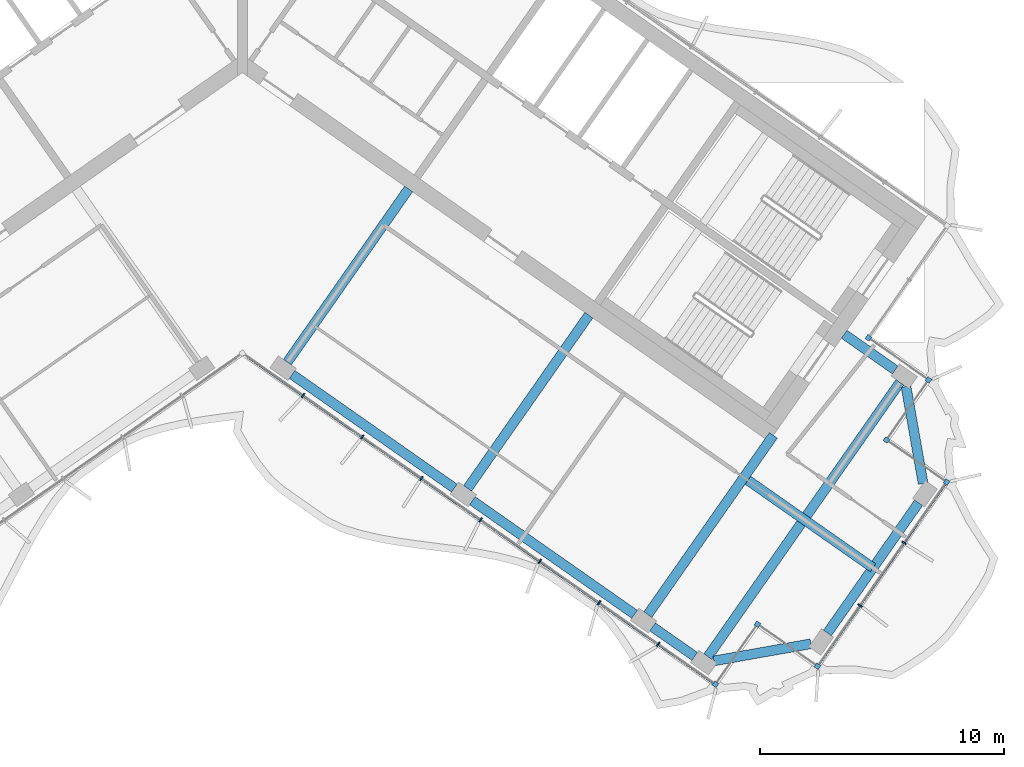
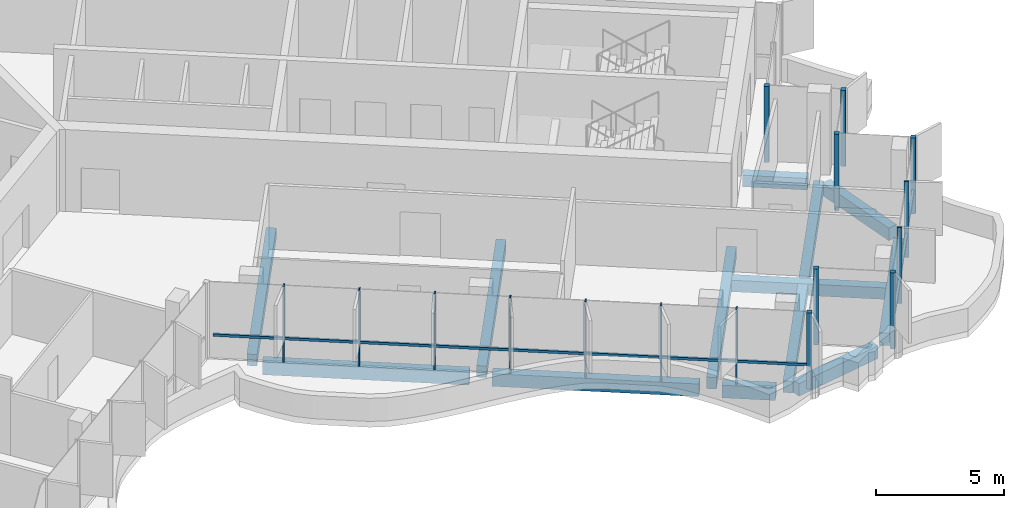
# One storey, part 4 of 18: 18 members, 12 beams, 2 elements without a shape of their own.
"""IFC4 building model written with IfcOpenShell, lengths in metres."""

from ifc_helpers import new_model, si_unit, direction, frame, origin, origin_2d, place, context, subcontext, project, spatial, rectangle, extrude, material, material_profile, profile_set, type_object, element, aggregate, save


model = new_model("IFC4")

# Units and contexts
model_context = context("Model", 3, precision=1e-05, world=origin(), true_north=direction((0.0, 1.0)))
body_context = subcontext(model_context, "Body", "Model", "MODEL_VIEW")
ifc_project = project(units=[si_unit("LENGTHUNIT", "METRE"), si_unit("AREAUNIT", "SQUARE_METRE"), si_unit("VOLUMEUNIT", "CUBIC_METRE"), si_unit("PLANEANGLEUNIT", "RADIAN"), si_unit("MASSUNIT", "GRAM", prefix="KILO")], contexts=[model_context])

# Site, building, storey
site_placement = place(None, origin())
site = spatial("IfcSite", under=ifc_project, at=site_placement, CompositionType="ELEMENT")
building_placement = place(site_placement, origin())
building = spatial("IfcBuilding", under=site, at=building_placement, Name="Tel Ilan Convention Tower", CompositionType="ELEMENT")
storey_placement = place(building_placement, frame((0.0, 0.0, 303.39990234375)))
storey = spatial("IfcBuildingStorey", under=building, at=storey_placement, Name="L72", CompositionType="ELEMENT", Elevation=303.39990234375)

# Beams
ifc_material_1 = material(Name="Concrete C40/50", Category="concrete")
ifc_material_profile_1 = material_profile(ifc_material_1, rectangle(XDim=0.39990234375, YDim=0.550048828125, at=origin_2d()), Name="RC 400x550")
ifc_profile_set_1 = profile_set([ifc_material_profile_1], Name="Concrete C40/50")
beam_type_1 = type_object("IfcBeamType", Name="Beam RC 400x550 Concrete C40/50", PredefinedType="BEAM", material=ifc_profile_set_1)
beam_1_placement = place(storey_placement, frame((26.700927734375, -13.385986328125, -0.554931640625), z_axis=(-0.819119449707, 0.573622983424, 0.0), x_axis=(-0.573622983424, -0.819119449707, 0.0)))
element("IfcBeam", 1, at=beam_1_placement, inside=storey, type_object=beam_type_1, Name="L72 beam E-E-BC-core", PredefinedType="BEAM", context=body_context, shape_type="SweptSolid", body=[
    extrude(rectangle(XDim=0.39990234375, YDim=0.550048828125, at=origin_2d()), origin(), (0.0, 0.0, 1.0), 2.5498046875),
])
for number, where, z_axis, x_axis, name in (
    (2, (1.83740234375, -13.06689453125, -0.554931640625), (0.573574099654, 0.819153680457, 0.0), (-0.819153680457, 0.573574099654, 0.0), "L72 beam E-E-F1-core"),
    (3, (9.209716796875, -18.229248046875, -0.554931640625), (0.573574099654, 0.819153680457, 0.0), (-0.819153680457, 0.573574099654, 0.0), "L72 beam E-E-F2-core"),
):
    element("IfcBeam", number, at=place(storey_placement, frame(where, z_axis=z_axis, x_axis=x_axis)), inside=storey, type_object=beam_type_1, Name=name, PredefinedType="BEAM", context=body_context, shape_type="SweptSolid", body=[
        extrude(rectangle(XDim=0.39990234375, YDim=0.550048828125, at=origin_2d()), origin(), (0.0, 0.0, 1.0), 8.64990234375),
    ])
beam_2_placement = place(storey_placement, frame((16.58203125, -23.391357421875, -0.554931640625), z_axis=(0.573584999642, 0.819146048141, 0.0), x_axis=(-0.819146048141, 0.573584999642, 0.0)))
element("IfcBeam", 4, at=beam_2_placement, inside=storey, type_object=beam_type_1, Name="L72 beam E-E-F3-core", PredefinedType="BEAM", context=body_context, shape_type="SweptSolid", body=[
    extrude(rectangle(XDim=0.39990234375, YDim=0.550048828125, at=origin_2d()), origin(), (0.0, 0.0, 1.0), 8.949951171875),
])
beam_3_placement = place(storey_placement, frame((20.6748046875, -17.89501953125, -0.554931640625), z_axis=(0.819171356584, -0.573548854548, 0.0), x_axis=(0.573548854548, 0.819171356584, 0.0)))
element("IfcBeam", 5, at=beam_3_placement, inside=storey, type_object=beam_type_1, Name="L72 beam E-core-end", PredefinedType="BEAM", context=body_context, shape_type="SweptSolid", body=[
    extrude(rectangle(XDim=0.39990234375, YDim=0.550048828125, at=origin_2d()), origin(), (0.0, 0.0, 1.0), 6.25),
])
beam_4_placement = place(storey_placement, frame((19.03955078125, -25.112060546875, -0.554931640625), z_axis=(0.57357117602, 0.819155727587, 0.0), x_axis=(-0.819155727587, 0.57357117602, 0.0)))
element("IfcBeam", 6, at=beam_4_placement, inside=storey, type_object=beam_type_1, Name="L72 beam E-E-FC-E-BC", PredefinedType="BEAM", context=body_context, shape_type="SweptSolid", body=[
    extrude(rectangle(XDim=0.39990234375, YDim=0.550048828125, at=origin_2d()), origin(), (0.0, 0.0, 1.0), 13.699951171875),
])
ifc_material_2 = material(Name="Concrete C40/50", Category="concrete")
ifc_material_profile_2 = material_profile(ifc_material_2, rectangle(XDim=0.39990234375, YDim=0.60009765625, at=origin_2d()), Name="RC 400x600")
ifc_profile_set_2 = profile_set([ifc_material_profile_2], Name="Concrete C40/50")
beam_type_2 = type_object("IfcBeamType", Name="Beam RC 400x600 Concrete C40/50", PredefinedType="BEAM", material=ifc_profile_set_2)
beam_5_placement = place(storey_placement, frame((2.033935546875, -13.57080078125, -0.579833984375), z_axis=(0.81914553362, -0.573585734437, 0.0), x_axis=(0.573585734437, 0.81914553362, 0.0)))
element("IfcBeam", 7, at=beam_5_placement, inside=storey, type_object=beam_type_2, Name="L72 beam E-E-F1-E-F2", PredefinedType="BEAM", context=body_context, shape_type="SweptSolid", body=[
    extrude(rectangle(XDim=0.39990234375, YDim=0.60009765625, at=origin_2d()), origin(), (0.0, 0.0, 1.0), 8.099853515625),
])
beam_6_placement = place(storey_placement, frame((9.40625, -18.73291015625, -0.579833984375), z_axis=(0.819155449703, -0.573571572885, 0.0), x_axis=(0.573571572885, 0.819155449703, 0.0)))
element("IfcBeam", 8, at=beam_6_placement, inside=storey, type_object=beam_type_2, Name="L72 beam E-E-F2-E-F3", PredefinedType="BEAM", context=body_context, shape_type="SweptSolid", body=[
    extrude(rectangle(XDim=0.39990234375, YDim=0.60009765625, at=origin_2d()), origin(), (0.0, 0.0, 1.0), 8.10009765625),
])
beam_7_placement = place(storey_placement, frame((16.778564453125, -23.895263671875, -0.579833984375), z_axis=(0.819188222026, -0.573524765719, 0.0), x_axis=(0.573524765719, 0.819188222026, 0.0)))
element("IfcBeam", 9, at=beam_7_placement, inside=storey, type_object=beam_type_2, Name="L72 beam E-E-F3-E-FC", PredefinedType="BEAM", context=body_context, shape_type="SweptSolid", body=[
    extrude(rectangle(XDim=0.39990234375, YDim=0.60009765625, at=origin_2d()), origin(), (0.0, 0.0, 1.0), 2.099853515625),
])
beam_8_placement = place(storey_placement, frame((19.285400390625, -25.2841796875, -0.579833984375), z_axis=(0.984804894423, 0.173664388751, 0.0), x_axis=(-0.173664388751, 0.984804894423, 0.0)))
element("IfcBeam", 10, at=beam_8_placement, inside=storey, type_object=beam_type_2, Name="L72 beam E-E-FC-E-E1", PredefinedType="BEAM", context=body_context, shape_type="SweptSolid", body=[
    extrude(rectangle(XDim=0.39990234375, YDim=0.60009765625, at=origin_2d()), origin(), (0.0, 0.0, 1.0), 4.030517578125),
])
beam_9_placement = place(storey_placement, frame((23.930419921875, -24.14208984375, -0.579833984375), z_axis=(0.573563169494, 0.819161333682, 0.0), x_axis=(-0.819161333682, 0.573563169494, 0.0)))
element("IfcBeam", 11, at=beam_9_placement, inside=storey, type_object=beam_type_2, Name="L72 beam E-E-E1-E-E2", PredefinedType="BEAM", context=body_context, shape_type="SweptSolid", body=[
    extrude(rectangle(XDim=0.39990234375, YDim=0.60009765625, at=origin_2d()), origin(), (0.0, 0.0, 1.0), 6.500244140625),
])
beam_10_placement = place(storey_placement, frame((27.84326171875, -18.031005859375, -0.579833984375), z_axis=(-0.173664388751, 0.984804894423, 0.0), x_axis=(-0.984804894423, -0.173664388751, 0.0)))
element("IfcBeam", 12, at=beam_10_placement, inside=storey, type_object=beam_type_2, Name="L72 beam E-E-E2-E-BC", PredefinedType="BEAM", context=body_context, shape_type="SweptSolid", body=[
    extrude(rectangle(XDim=0.39990234375, YDim=0.60009765625, at=origin_2d()), origin(), (0.0, 0.0, 1.0), 4.030517578125),
])

# Curtain wall, member
ifc_material_3 = material(Name="Aluminium, bronze anodised", Category="aluminium")
curtain_wall_type_1 = type_object("IfcCurtainWallType", Name="CW2 STICK CURTAIN WALL, SPANDREL PANELS", PredefinedType="NOTDEFINED", material=ifc_material_3)
curtain_wall_1_placement = place(storey_placement, origin())
curtain_wall_1 = element("IfcCurtainWall", 13, at=curtain_wall_1_placement, inside=storey, type_object=curtain_wall_type_1, Name="Curtain wall CW2-54.01", PredefinedType="NOTDEFINED")
ifc_material_4 = material(Name="Aluminium, bronze anodised", Category="aluminium")
ifc_material_profile_3 = material_profile(ifc_material_4, rectangle(XDim=0.199951171875, YDim=0.199951171875, at=origin_2d()), Name="CW CORNER MULLION 200x200")
ifc_profile_set_3 = profile_set([ifc_material_profile_3], Name="Aluminium, bronze anodised")
member_type_1 = type_object("IfcMemberType", Name="CW CORNER MULLION 200x200", PredefinedType="MULLION", material=ifc_profile_set_3)
member_1_placement = place(storey_placement, frame((25.607421875, -12.07080078125, 0.0), z_axis=(0.0, 0.0, 1.0), x_axis=(-0.819152044289, 0.573576436351, 0.0)))
member_1 = element("IfcMember", 14, at=member_1_placement, type_object=member_type_1, Name="Corner mullion", PredefinedType="MULLION", context=body_context, shape_type="SweptSolid", body=[
    extrude(rectangle(XDim=0.199951171875, YDim=0.199951171875, at=origin_2d()), origin(), (0.0, 0.0, 1.0), 3.6201171875),
])
aggregate(curtain_wall_1, [member_1])

# Curtain wall, members
ifc_material_5 = material(Name="Aluminium, bronze anodised", Category="aluminium")
curtain_wall_type_2 = type_object("IfcCurtainWallType", Name="CW5 STICK CURTAIN WALL, UPPER OFFICE LOW-IRON TINTED GLASS", PredefinedType="NOTDEFINED", material=ifc_material_5)
curtain_wall_2_placement = place(storey_placement, origin())
curtain_wall_2 = element("IfcCurtainWall", 15, at=curtain_wall_2_placement, inside=storey, type_object=curtain_wall_type_2, Name="Curtain wall CW5-54.02", PredefinedType="NOTDEFINED")
member_2_placement = place(storey_placement, frame((19.3466796875, -26.24267578125, 0.0), z_axis=(0.0, 0.0, 1.0), x_axis=(0.819152044289, -0.573576436351, 0.0)))
member_2 = element("IfcMember", 16, at=member_2_placement, type_object=member_type_1, Name="Corner mullion", PredefinedType="MULLION", context=body_context, shape_type="SweptSolid", body=[
    extrude(rectangle(XDim=0.199951171875, YDim=0.199951171875, at=origin_2d()), origin(), (0.0, 0.0, 1.0), 3.6201171875),
])
member_3_placement = place(storey_placement, frame((21.0673828125, -23.78515625, 0.0), z_axis=(0.0, 0.0, 1.0), x_axis=(0.573576436351, 0.819152044289, 0.0)))
member_3 = element("IfcMember", 17, at=member_3_placement, type_object=member_type_1, Name="Corner mullion", PredefinedType="MULLION", context=body_context, shape_type="SweptSolid", body=[
    extrude(rectangle(XDim=0.199951171875, YDim=0.199951171875, at=origin_2d()), origin(), (0.0, 0.0, 1.0), 3.6201171875),
])
member_4_placement = place(storey_placement, frame((23.52490234375, -25.505859375, 0.0), z_axis=(0.0, 0.0, 1.0), x_axis=(0.819152044289, -0.573576436351, 0.0)))
member_4 = element("IfcMember", 18, at=member_4_placement, type_object=member_type_1, Name="Corner mullion", PredefinedType="MULLION", context=body_context, shape_type="SweptSolid", body=[
    extrude(rectangle(XDim=0.199951171875, YDim=0.199951171875, at=origin_2d()), origin(), (0.0, 0.0, 1.0), 3.6201171875),
])
member_5_placement = place(storey_placement, frame((28.8017578125, -17.9697265625, 0.0), z_axis=(0.0, 0.0, 1.0), x_axis=(0.573576436351, 0.819152044289, 0.0)))
member_5 = element("IfcMember", 19, at=member_5_placement, type_object=member_type_1, Name="Corner mullion", PredefinedType="MULLION", context=body_context, shape_type="SweptSolid", body=[
    extrude(rectangle(XDim=0.199951171875, YDim=0.199951171875, at=origin_2d()), origin(), (0.0, 0.0, 1.0), 3.6201171875),
])
member_6_placement = place(storey_placement, frame((26.34423828125, -16.2490234375, 0.0), z_axis=(0.0, 0.0, 1.0), x_axis=(-0.819152044289, 0.573576436351, 0.0)))
member_6 = element("IfcMember", 20, at=member_6_placement, type_object=member_type_1, Name="Corner mullion", PredefinedType="MULLION", context=body_context, shape_type="SweptSolid", body=[
    extrude(rectangle(XDim=0.199951171875, YDim=0.199951171875, at=origin_2d()), origin(), (0.0, 0.0, 1.0), 3.6201171875),
])
member_7_placement = place(storey_placement, frame((28.06494140625, -13.79150390625, 0.0), z_axis=(0.0, 0.0, 1.0), x_axis=(0.573576436351, 0.819152044289, 0.0)))
member_7 = element("IfcMember", 21, at=member_7_placement, type_object=member_type_1, Name="Corner mullion", PredefinedType="MULLION", context=body_context, shape_type="SweptSolid", body=[
    extrude(rectangle(XDim=0.199951171875, YDim=0.199951171875, at=origin_2d()), origin(), (0.0, 0.0, 1.0), 3.6201171875),
])
ifc_material_6 = material(Name="Aluminium, bronze anodised", Category="aluminium")
ifc_material_profile_4 = material_profile(ifc_material_6, rectangle(XDim=0.06005859375, YDim=0.199951171875, at=origin_2d()), Name="CW MULLION 60x200")
ifc_profile_set_4 = profile_set([ifc_material_profile_4], Name="Aluminium, bronze anodised")
member_type_2 = type_object("IfcMemberType", Name="CW MULLION 60x200", PredefinedType="MULLION", material=ifc_profile_set_4)
member_8_placement = place(storey_placement, frame((2.478759765625, -14.431640625, 0.0), z_axis=(0.0, 0.0, 1.0), x_axis=(0.819152044289, -0.573576436351, 0.0)))
member_8 = element("IfcMember", 22, at=member_8_placement, type_object=member_type_2, Name="Mullion", PredefinedType="MULLION", context=body_context, shape_type="SweptSolid", body=[
    extrude(rectangle(XDim=0.06005859375, YDim=0.199951171875, at=origin_2d()), origin(), (0.0, 0.0, 1.0), 3.6201171875),
])
member_9_placement = place(storey_placement, frame((4.900146484375, -16.127197265625, 0.0), z_axis=(0.0, 0.0, 1.0), x_axis=(0.819152044289, -0.573576436351, 0.0)))
member_9 = element("IfcMember", 23, at=member_9_placement, type_object=member_type_2, Name="Mullion", PredefinedType="MULLION", context=body_context, shape_type="SweptSolid", body=[
    extrude(rectangle(XDim=0.06005859375, YDim=0.199951171875, at=origin_2d()), origin(), (0.0, 0.0, 1.0), 3.6201171875),
])
member_10_placement = place(storey_placement, frame((7.321533203125, -17.82275390625, 0.0), z_axis=(0.0, 0.0, 1.0), x_axis=(0.819152044289, -0.573576436351, 0.0)))
member_10 = element("IfcMember", 24, at=member_10_placement, type_object=member_type_2, Name="Mullion", PredefinedType="MULLION", context=body_context, shape_type="SweptSolid", body=[
    extrude(rectangle(XDim=0.06005859375, YDim=0.199951171875, at=origin_2d()), origin(), (0.0, 0.0, 1.0), 3.6201171875),
])
member_11_placement = place(storey_placement, frame((9.742919921875, -19.51806640625, 0.0), z_axis=(0.0, 0.0, 1.0), x_axis=(0.819152044289, -0.573576436351, 0.0)))
member_11 = element("IfcMember", 25, at=member_11_placement, type_object=member_type_2, Name="Mullion", PredefinedType="MULLION", context=body_context, shape_type="SweptSolid", body=[
    extrude(rectangle(XDim=0.06005859375, YDim=0.199951171875, at=origin_2d()), origin(), (0.0, 0.0, 1.0), 3.6201171875),
])
member_12_placement = place(storey_placement, frame((12.164306640625, -21.213623046875, 0.0), z_axis=(0.0, 0.0, 1.0), x_axis=(0.819152044289, -0.573576436351, 0.0)))
member_12 = element("IfcMember", 26, at=member_12_placement, type_object=member_type_2, Name="Mullion", PredefinedType="MULLION", context=body_context, shape_type="SweptSolid", body=[
    extrude(rectangle(XDim=0.06005859375, YDim=0.199951171875, at=origin_2d()), origin(), (0.0, 0.0, 1.0), 3.6201171875),
])
member_13_placement = place(storey_placement, frame((14.585693359375, -22.9091796875, 0.0), z_axis=(0.0, 0.0, 1.0), x_axis=(0.819152044289, -0.573576436351, 0.0)))
member_13 = element("IfcMember", 27, at=member_13_placement, type_object=member_type_2, Name="Mullion", PredefinedType="MULLION", context=body_context, shape_type="SweptSolid", body=[
    extrude(rectangle(XDim=0.06005859375, YDim=0.199951171875, at=origin_2d()), origin(), (0.0, 0.0, 1.0), 3.6201171875),
])
member_14_placement = place(storey_placement, frame((17.007080078125, -24.6044921875, 0.0), z_axis=(0.0, 0.0, 1.0), x_axis=(0.819152044289, -0.573576436351, 0.0)))
member_14 = element("IfcMember", 28, at=member_14_placement, type_object=member_type_2, Name="Mullion", PredefinedType="MULLION", context=body_context, shape_type="SweptSolid", body=[
    extrude(rectangle(XDim=0.06005859375, YDim=0.199951171875, at=origin_2d()), origin(), (0.0, 0.0, 1.0), 3.6201171875),
])
member_15_placement = place(storey_placement, frame((25.2646484375, -23.021240234375, 0.0), z_axis=(0.0, 0.0, 1.0), x_axis=(0.573576436351, 0.819152044289, 0.0)))
member_15 = element("IfcMember", 29, at=member_15_placement, type_object=member_type_2, Name="Mullion", PredefinedType="MULLION", context=body_context, shape_type="SweptSolid", body=[
    extrude(rectangle(XDim=0.06005859375, YDim=0.199951171875, at=origin_2d()), origin(), (0.0, 0.0, 1.0), 3.6201171875),
])
member_16_placement = place(storey_placement, frame((27.061767578125, -20.45458984375, 0.0), z_axis=(0.0, 0.0, 1.0), x_axis=(0.573576436351, 0.819152044289, 0.0)))
member_16 = element("IfcMember", 30, at=member_16_placement, type_object=member_type_2, Name="Mullion", PredefinedType="MULLION", context=body_context, shape_type="SweptSolid", body=[
    extrude(rectangle(XDim=0.06005859375, YDim=0.199951171875, at=origin_2d()), origin(), (0.0, 0.0, 1.0), 3.6201171875),
])
ifc_material_7 = material(Name="Aluminium, bronze anodised", Category="aluminium")
ifc_material_profile_5 = material_profile(ifc_material_7, rectangle(XDim=0.10009765625, YDim=0.1201171875, at=origin_2d()), Name="CW TRANSOM 100x120")
ifc_profile_set_5 = profile_set([ifc_material_profile_5], Name="Aluminium, bronze anodised")
member_type_3 = type_object("IfcMemberType", Name="CW TRANSOM 100x120", PredefinedType="USERDEFINED", material=ifc_profile_set_5)
member_17_placement = place(storey_placement, frame((0.22119140625, -12.850830078125, 1.10009765625), z_axis=(0.81915001336, -0.573579336808, 0.0), x_axis=(0.573579336808, 0.81915001336, 0.0)))
member_17 = element("IfcMember", 31, at=member_17_placement, type_object=member_type_3, Name="Transom", ObjectType="TRANSOM", PredefinedType="USERDEFINED", context=body_context, shape_type="SweptSolid", body=[
    extrude(rectangle(XDim=0.10009765625, YDim=0.1201171875, at=origin_2d()), origin(), (0.0, 0.0, 1.0), 23.247802734375),
])
member_18_placement = place(storey_placement, frame((23.58203125, -25.424072265625, 1.10009765625), z_axis=(0.573591598124, 0.819141427692, 0.0), x_axis=(-0.819141427692, 0.573591598124, 0.0)))
member_18 = element("IfcMember", 32, at=member_18_placement, type_object=member_type_3, Name="Transom", ObjectType="TRANSOM", PredefinedType="USERDEFINED", context=body_context, shape_type="SweptSolid", body=[
    extrude(rectangle(XDim=0.10009765625, YDim=0.1201171875, at=origin_2d()), origin(), (0.0, 0.0, 1.0), 9.0),
])
aggregate(curtain_wall_2, [member_8, member_9, member_10, member_11, member_12, member_13, member_14, member_2, member_17, member_3, member_4, member_15, member_16, member_5, member_18, member_6, member_7])

save(model, "model.ifc")
